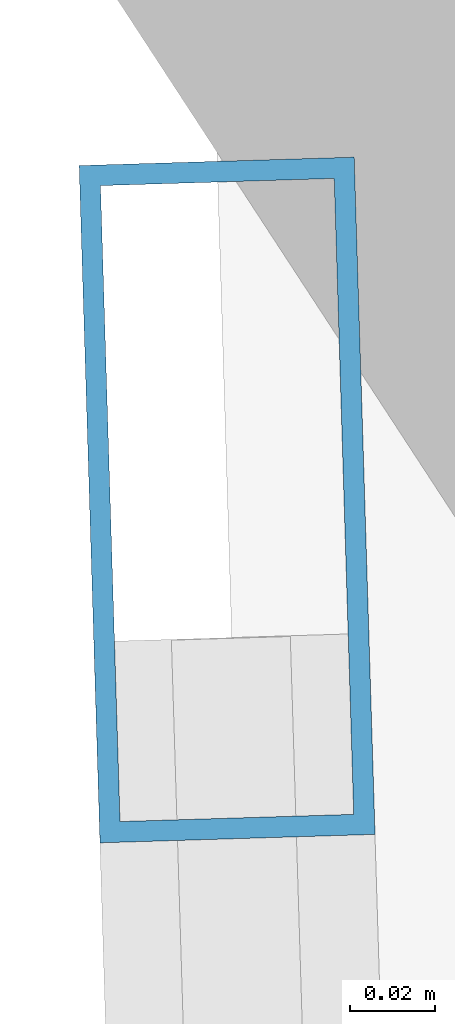
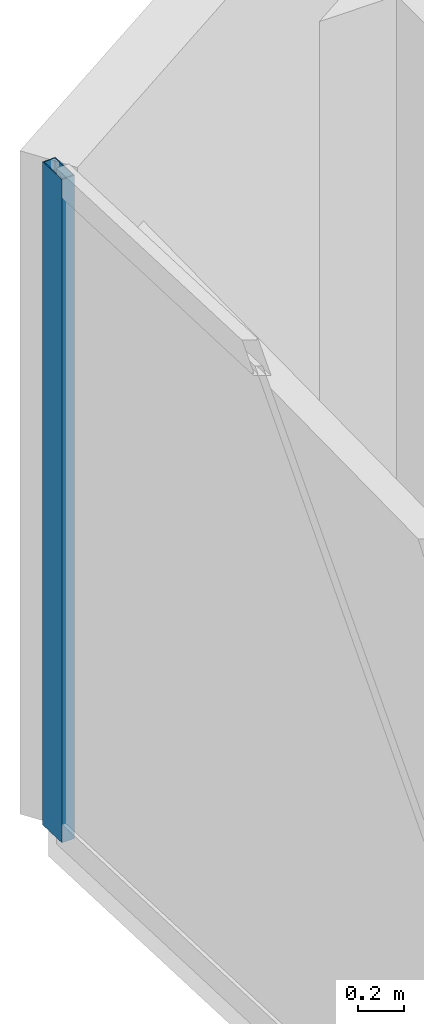
# One storey, part 11 of 22: 1 member, 1 element without a shape of its own.
"""IFC4 building model written with IfcOpenShell, lengths in metres."""

from ifc_helpers import new_model, si_unit, direction, frame, origin, origin_2d, place, context, subcontext, project, spatial, hollow_rectangle, extrude, material, layer, layer_set, material_profile, profile_set, type_object, element, aggregate, save


model = new_model("IFC4")

# Units and contexts
model_context = context("Model", 3, precision=1e-05, world=origin(), true_north=direction((0.0, 1.0)))
body_context = subcontext(model_context, "Body", "Model", "MODEL_VIEW")
ifc_project = project(units=[si_unit("LENGTHUNIT", "METRE"), si_unit("AREAUNIT", "SQUARE_METRE"), si_unit("VOLUMEUNIT", "CUBIC_METRE"), si_unit("PLANEANGLEUNIT", "RADIAN"), si_unit("MASSUNIT", "GRAM", prefix="KILO")], contexts=[model_context])

# Site, building, storey
site_placement = place(None, origin())
site = spatial("IfcSite", under=ifc_project, at=site_placement, CompositionType="ELEMENT")
building_placement = place(site_placement, origin())
building = spatial("IfcBuilding", under=site, at=building_placement, Name="Qianvela Tower", CompositionType="ELEMENT")
storey_placement = place(building_placement, frame((0.0, 0.0, 155.0)))
storey = spatial("IfcBuildingStorey", under=building, at=storey_placement, Name="L39", CompositionType="ELEMENT", Elevation=155.0)

# Curtain wall, member
ifc_material_1 = material(Name="Anodised Architectural Aluminium and Low-E Glass", Category="aluminium")
ifc_layer = layer(ifc_material_1, 0.169921875)
ifc_layer_set = layer_set([ifc_layer], Name="Anodised Architectural Aluminium and Low-E Glass")
curtain_wall_type = type_object("IfcCurtainWallType", Name="CW-COLIV-Z34", PredefinedType="USERDEFINED", material=ifc_layer_set)
curtain_wall_placement = place(storey_placement, origin())
curtain_wall = element("IfcCurtainWall", 1, at=curtain_wall_placement, inside=storey, type_object=curtain_wall_type, Name="L39 CW-COLIV-Z34 Curtain Wall 04A", ObjectType="CURTAIN_WALL_SYSTEM", PredefinedType="USERDEFINED")
ifc_material_2 = material(Name="Anodised Architectural Aluminium 6063-T6", Category="aluminium")
ifc_material_profile = material_profile(ifc_material_2, hollow_rectangle(XDim=0.06494140625, YDim=0.159912109375, WallThickness=0.0048828125, at=origin_2d()), Name="ALU-MULL-65x160")
ifc_profile_set = profile_set([ifc_material_profile], Name="Anodised Architectural Aluminium 6063-T6")
member_type = type_object("IfcMemberType", Name="CW-COLIV-Z34-MULL", PredefinedType="MULLION", material=ifc_profile_set)
member_placement = place(storey_placement, frame((21.29345703125, 37.888916015625, 0.0), z_axis=(0.0, 0.0, 1.0), x_axis=(0.999527990067, 0.030721280446, 0.0)))
member = element("IfcMember", 2, at=member_placement, type_object=member_type, Name="CW-4 mullion 1", PredefinedType="MULLION", context=body_context, shape_type="SweptSolid", body=[
    extrude(hollow_rectangle(XDim=0.06494140625, YDim=0.159912109375, WallThickness=0.0048828125, at=origin_2d()), origin(), (0.0, 0.0, 1.0), 3.52001953125),
])
aggregate(curtain_wall, [member])

save(model, "model.ifc")
